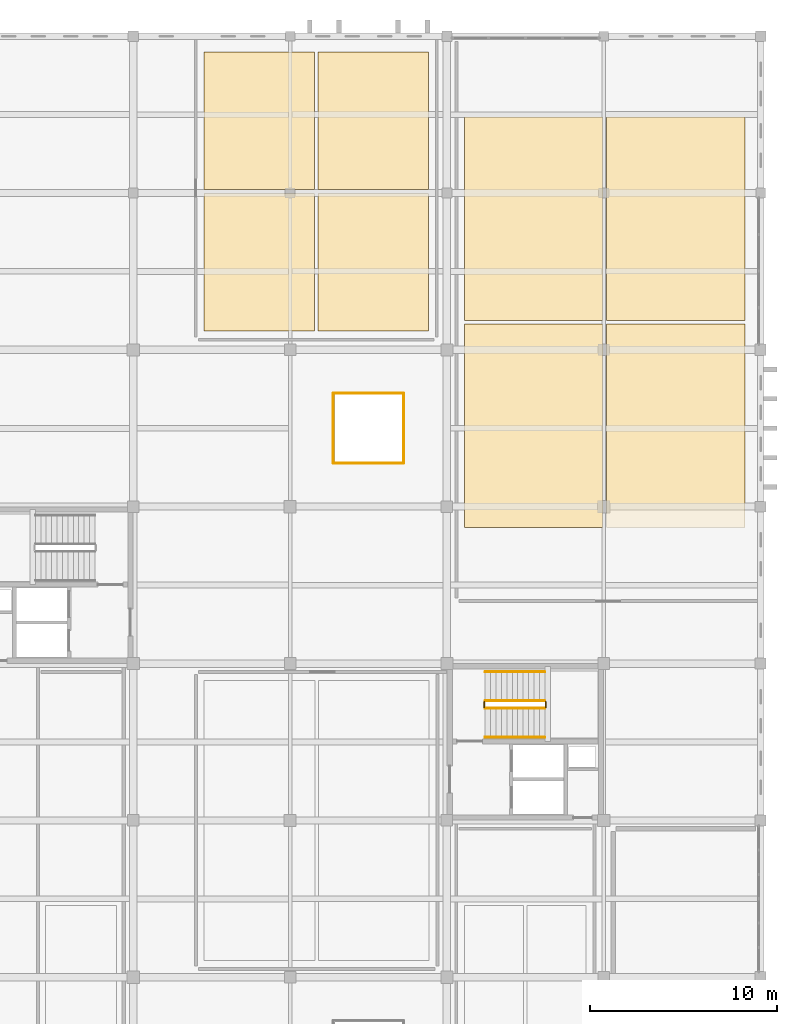
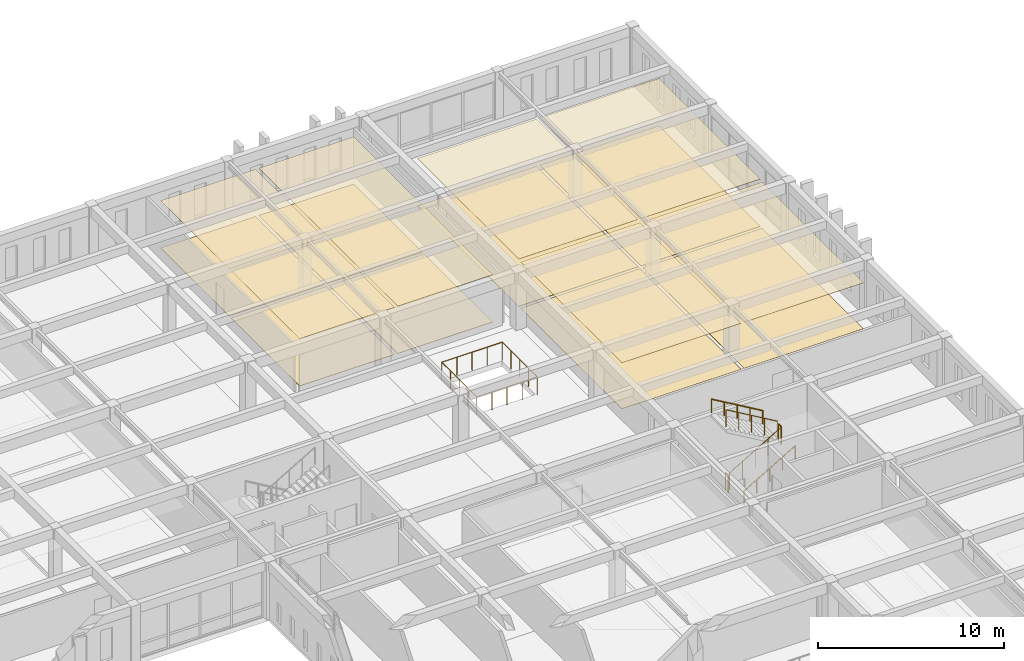
# One storey, part 47 of 47: 16 coverings, 10 railings.
"""IFC4 building model written with IfcOpenShell, lengths in metres."""

from ifc_helpers import new_model, si_unit, direction, frame, origin, origin_2d, place, context, subcontext, project, spatial, rectangle, circle, extrude, material, layer, layer_set, type_object, element, save


model = new_model("IFC4")

# Units and contexts
model_context = context("Model", 3, precision=1e-05, world=origin(), true_north=direction((0.0, 1.0)))
body_context = subcontext(model_context, "Body", "Model", "MODEL_VIEW")
ifc_project = project(units=[si_unit("LENGTHUNIT", "METRE"), si_unit("AREAUNIT", "SQUARE_METRE"), si_unit("VOLUMEUNIT", "CUBIC_METRE"), si_unit("PLANEANGLEUNIT", "RADIAN"), si_unit("MASSUNIT", "GRAM", prefix="KILO")], contexts=[model_context])

# Site, building, storey
site_placement = place(None, origin())
site = spatial("IfcSite", under=ifc_project, at=site_placement, CompositionType="ELEMENT")
building_placement = place(site_placement, origin())
building = spatial("IfcBuilding", under=site, at=building_placement, Name="Kveldsbrygga Polytechnic", CompositionType="ELEMENT")
storey_placement = place(building_placement, frame((0.0, 0.0, 13.93994140625)))
storey = spatial("IfcBuildingStorey", under=building, at=storey_placement, Name="L03", CompositionType="ELEMENT", Elevation=13.93994140625)

# Coverings
ifc_material_1 = material(Name="Acoustic mineral baffle ceiling")
ifc_layer_1 = layer(ifc_material_1, 0.030029296875)
ifc_layer_set_1 = layer_set([ifc_layer_1], Name="Acoustic mineral baffle ceiling")
covering_type_1 = type_object("IfcCoveringType", Name="COV-CEIL-AC30", PredefinedType="CEILING", material=ifc_layer_set_1)
for number, where, z_axis, x_axis, name in (
    (1, (155.85009765625, 96.72509765625, 3.02001953125), (0.0, 0.0, 1.0), (1.0, 0.0, 0.0), "Acoustic Ceiling SP-L03-STD31-WS"),
    (2, (155.85009765625, 107.824951171875, 3.10009765625), (0.0, 0.0, 1.0), (1.0, 0.0, 0.0), "Acoustic Ceiling SP-L03-STD31-WN"),
    (3, (163.449951171875, 96.72509765625, 3.02001953125), (0.0, 0.0, 1.0), (1.0, 0.0, 0.0), "Acoustic Ceiling SP-L03-STD31-ES"),
    (4, (163.449951171875, 107.824951171875, 3.10009765625), (0.0, 0.0, 1.0), (1.0, 0.0, 0.0), "Acoustic Ceiling SP-L03-STD31-EN"),
):
    element("IfcCovering", number, at=place(storey_placement, frame(where, z_axis=z_axis, x_axis=x_axis)), inside=storey, type_object=covering_type_1, Name=name, PredefinedType="CEILING", context=body_context, shape_type="SweptSolid", body=[
        extrude(rectangle(XDim=7.39990234375, YDim=10.89990234375, at=origin_2d()), origin(), (0.0, 0.0, 1.0), 0.030029296875),
    ])
ifc_material_2 = material(Name="Gypsum acoustic ceiling")
ifc_layer_2 = layer(ifc_material_2, 0.02001953125)
ifc_layer_set_2 = layer_set([ifc_layer_2], Name="Gypsum acoustic ceiling")
covering_type_2 = type_object("IfcCoveringType", Name="COV-CEIL-GY20", PredefinedType="CEILING", material=ifc_layer_set_2)
for number, where, z_axis, x_axis, name in (
    (5, (141.14990234375, 105.487548828125, 3.110107421875), (0.0, 0.0, 1.0), (1.0, 0.0, 0.0), "Acoustic Ceiling SP-L03-WC1-WS"),
    (6, (141.14990234375, 113.0625, 3.110107421875), (0.0, 0.0, 1.0), (1.0, 0.0, 0.0), "Acoustic Ceiling SP-L03-WC1-WN"),
    (7, (147.25, 105.487548828125, 3.110107421875), (0.0, 0.0, 1.0), (1.0, 0.0, 0.0), "Acoustic Ceiling SP-L03-WC1-ES"),
    (8, (147.25, 113.0625, 3.110107421875), (0.0, 0.0, 1.0), (1.0, 0.0, 0.0), "Acoustic Ceiling SP-L03-WC1-EN"),
):
    element("IfcCovering", number, at=place(storey_placement, frame(where, z_axis=z_axis, x_axis=x_axis)), inside=storey, type_object=covering_type_2, Name=name, PredefinedType="CEILING", context=body_context, shape_type="SweptSolid", body=[
        extrude(rectangle(XDim=5.89990234375, YDim=7.375, at=origin_2d()), origin(), (0.0, 0.0, 1.0), 0.02001953125),
    ])
ifc_material_3 = material(Name="Iddefjord granite honed paving", Category="masonry")
ifc_layer_3 = layer(ifc_material_3, 0.02490234375)
ifc_layer_set_3 = layer_set([ifc_layer_3], Name="Iddefjord granite honed paving")
covering_type_3 = type_object("IfcCoveringType", Name="COV-FLR-GRN25", PredefinedType="FLOORING", material=ifc_layer_set_3)
for number, where, z_axis, x_axis, name in (
    (9, (141.14990234375, 105.487548828125, 0.0), (0.0, 0.0, 1.0), (1.0, 0.0, 0.0), "Room Flooring SP-L03-WC1-WS"),
    (10, (141.14990234375, 113.0625, 0.0), (0.0, 0.0, 1.0), (1.0, 0.0, 0.0), "Room Flooring SP-L03-WC1-WN"),
    (11, (147.25, 105.487548828125, 0.0), (0.0, 0.0, 1.0), (1.0, 0.0, 0.0), "Room Flooring SP-L03-WC1-ES"),
    (12, (147.25, 113.0625, 0.0), (0.0, 0.0, 1.0), (1.0, 0.0, 0.0), "Room Flooring SP-L03-WC1-EN"),
):
    element("IfcCovering", number, at=place(storey_placement, frame(where, z_axis=z_axis, x_axis=x_axis)), inside=storey, type_object=covering_type_3, Name=name, PredefinedType="FLOORING", context=body_context, shape_type="SweptSolid", body=[
        extrude(rectangle(XDim=5.89990234375, YDim=7.375, at=origin_2d()), origin(), (0.0, 0.0, 1.0), 0.02490234375),
    ])
ifc_material_4 = material(Name="Acoustic oak timber flooring", Category="wood")
ifc_layer_4 = layer(ifc_material_4, 0.02197265625)
ifc_layer_set_4 = layer_set([ifc_layer_4], Name="Acoustic oak timber flooring")
covering_type_4 = type_object("IfcCoveringType", Name="COV-FLR-OAK22", PredefinedType="FLOORING", material=ifc_layer_set_4)
for number, where, z_axis, x_axis, name in (
    (13, (155.85009765625, 96.72509765625, 0.0), (0.0, 0.0, 1.0), (1.0, 0.0, 0.0), "Room Flooring SP-L03-STD31-WS"),
    (14, (155.85009765625, 107.824951171875, 0.0), (0.0, 0.0, 1.0), (1.0, 0.0, 0.0), "Room Flooring SP-L03-STD31-WN"),
    (15, (163.449951171875, 96.72509765625, 0.0), (0.0, 0.0, 1.0), (1.0, 0.0, 0.0), "Room Flooring SP-L03-STD31-ES"),
    (16, (163.449951171875, 107.824951171875, 0.0), (0.0, 0.0, 1.0), (1.0, 0.0, 0.0), "Room Flooring SP-L03-STD31-EN"),
):
    element("IfcCovering", number, at=place(storey_placement, frame(where, z_axis=z_axis, x_axis=x_axis)), inside=storey, type_object=covering_type_4, Name=name, PredefinedType="FLOORING", context=body_context, shape_type="SweptSolid", body=[
        extrude(rectangle(XDim=7.39990234375, YDim=10.89990234375, at=origin_2d()), origin(), (0.0, 0.0, 1.0), 0.02197265625),
    ])

# Railings
ifc_material_5 = material(Name="Steel S355", Category="steel")
railing_type_1 = type_object("IfcRailingType", Name="RL-STAIR-GRD", PredefinedType="GUARDRAIL", material=ifc_material_5)
railing_1_placement = place(storey_placement, frame((153.25, 81.60009765625, 0.170166015625)))
element("IfcRailing", 17, at=railing_1_placement, inside=storey, type_object=railing_type_1, Name="L03 ST-4 stair guard 1", PredefinedType="GUARDRAIL", context=body_context, shape_type="SweptSolid", body=[
    extrude(circle(Radius=0.02392578125, at=origin_2d()), frame((0.0, 0.0, 1.1259765625), z_axis=(0.86270889649, 0.0, 0.505700860111), x_axis=(0.0, 1.0, 0.0)), (0.0, 0.0, 1.0), 3.697509765625),
    extrude(circle(Radius=0.02099609375, at=origin_2d()), origin(), (0.0, 0.0, 1.0), 1.097900390625),
    extrude(circle(Radius=0.02099609375, at=origin_2d()), frame((0.79736328125, 0.0, 0.467529296875)), (0.0, 0.0, 1.0), 1.097900390625),
    extrude(circle(Radius=0.02099609375, at=origin_2d()), frame((1.594970703125, 0.0, 0.93505859375)), (0.0, 0.0, 1.0), 1.097900390625),
    extrude(circle(Radius=0.02099609375, at=origin_2d()), frame((2.392578125, 0.0, 1.40234375)), (0.0, 0.0, 1.0), 1.097900390625),
    extrude(circle(Radius=0.02099609375, at=origin_2d()), frame((3.18994140625, 0.0, 1.869873046875)), (0.0, 0.0, 1.0), 1.097900390625),
])
railing_2_placement = place(storey_placement, frame((156.489990234375, 81.64990234375, 2.0400390625)))
element("IfcRailing", 18, at=railing_2_placement, inside=storey, type_object=railing_type_1, Name="L03 ST-4 stair guard 2", PredefinedType="GUARDRAIL", context=body_context, shape_type="SweptSolid", body=[
    extrude(circle(Radius=0.02392578125, at=origin_2d()), frame((0.0, 0.0, 1.1259765625), z_axis=(0.0, 1.0, 0.0), x_axis=(-1.0, 0.0, 0.0)), (0.0, 0.0, 1.0), 0.300048828125),
    extrude(circle(Radius=0.02099609375, at=origin_2d()), origin(), (0.0, 0.0, 1.0), 1.097900390625),
    extrude(circle(Radius=0.02099609375, at=origin_2d()), frame((0.0, 0.300048828125, 0.0)), (0.0, 0.0, 1.0), 1.097900390625),
])
railing_3_placement = place(storey_placement, frame((156.43994140625, 82.0, 2.2099609375)))
element("IfcRailing", 19, at=railing_3_placement, inside=storey, type_object=railing_type_1, Name="L03 ST-4 stair guard 3", PredefinedType="GUARDRAIL", context=body_context, shape_type="SweptSolid", body=[
    extrude(circle(Radius=0.02392578125, at=origin_2d()), frame((0.0, 0.0, 1.1259765625), z_axis=(-0.862680090275, 0.0, 0.50574999935), x_axis=(0.0, -1.0, 0.0)), (0.0, 0.0, 1.0), 3.69775390625),
    extrude(circle(Radius=0.02099609375, at=origin_2d()), origin(), (0.0, 0.0, 1.0), 1.097900390625),
    extrude(circle(Radius=0.02099609375, at=origin_2d()), frame((-0.79736328125, 0.0, 0.467529296875)), (0.0, 0.0, 1.0), 1.097900390625),
    extrude(circle(Radius=0.02099609375, at=origin_2d()), frame((-1.594970703125, 0.0, 0.93505859375)), (0.0, 0.0, 1.0), 1.097900390625),
    extrude(circle(Radius=0.02099609375, at=origin_2d()), frame((-2.392578125, 0.0, 1.402587890625)), (0.0, 0.0, 1.0), 1.097900390625),
    extrude(circle(Radius=0.02099609375, at=origin_2d()), frame((-3.18994140625, 0.0, 1.8701171875)), (0.0, 0.0, 1.0), 1.097900390625),
])
railing_4_placement = place(storey_placement, frame((153.199951171875, 81.64990234375, 0.0)))
element("IfcRailing", 20, at=railing_4_placement, inside=storey, type_object=railing_type_1, Name="L03 ST-4 stair guard 4", PredefinedType="GUARDRAIL", context=body_context, shape_type="SweptSolid", body=[
    extrude(circle(Radius=0.02392578125, at=origin_2d()), frame((0.0, 0.0, 1.1259765625), z_axis=(0.0, 1.0, 0.0), x_axis=(-1.0, 0.0, 0.0)), (0.0, 0.0, 1.0), 0.300048828125),
    extrude(circle(Radius=0.02099609375, at=origin_2d()), origin(), (0.0, 0.0, 1.0), 1.097900390625),
    extrude(circle(Radius=0.02099609375, at=origin_2d()), frame((0.0, 0.300048828125, 0.0)), (0.0, 0.0, 1.0), 1.097900390625),
])
railing_type_2 = type_object("IfcRailingType", Name="RL-STAIR-HND", PredefinedType="HANDRAIL", material=ifc_material_5)
railing_5_placement = place(storey_placement, frame((153.25, 80.050048828125, 0.170166015625)))
element("IfcRailing", 21, at=railing_5_placement, inside=storey, type_object=railing_type_2, Name="L03 ST-4 stair handrail 1", PredefinedType="HANDRAIL", context=body_context, shape_type="SweptSolid", body=[
    extrude(circle(Radius=0.02392578125, at=origin_2d()), frame((0.0, 0.0, 0.8759765625), z_axis=(0.86270889649, 0.0, 0.505700860111), x_axis=(0.0, 1.0, 0.0)), (0.0, 0.0, 1.0), 3.697509765625),
    extrude(circle(Radius=0.02099609375, at=origin_2d()), origin(), (0.0, 0.0, 1.0), 0.847900390625),
    extrude(circle(Radius=0.02099609375, at=origin_2d()), frame((0.79736328125, 0.0, 0.467529296875)), (0.0, 0.0, 1.0), 0.847900390625),
    extrude(circle(Radius=0.02099609375, at=origin_2d()), frame((1.594970703125, 0.0, 0.93505859375)), (0.0, 0.0, 1.0), 0.847900390625),
    extrude(circle(Radius=0.02099609375, at=origin_2d()), frame((2.392578125, 0.0, 1.40234375)), (0.0, 0.0, 1.0), 0.847900390625),
    extrude(circle(Radius=0.02099609375, at=origin_2d()), frame((3.18994140625, 0.0, 1.869873046875)), (0.0, 0.0, 1.0), 0.847900390625),
])
railing_6_placement = place(storey_placement, frame((156.43994140625, 83.550048828125, 2.2099609375)))
element("IfcRailing", 22, at=railing_6_placement, inside=storey, type_object=railing_type_2, Name="L03 ST-4 stair handrail 2", PredefinedType="HANDRAIL", context=body_context, shape_type="SweptSolid", body=[
    extrude(circle(Radius=0.02392578125, at=origin_2d()), frame((0.0, 0.0, 0.8759765625), z_axis=(-0.862680090275, 0.0, 0.50574999935), x_axis=(0.0, -1.0, 0.0)), (0.0, 0.0, 1.0), 3.69775390625),
    extrude(circle(Radius=0.02099609375, at=origin_2d()), origin(), (0.0, 0.0, 1.0), 0.847900390625),
    extrude(circle(Radius=0.02099609375, at=origin_2d()), frame((-0.79736328125, 0.0, 0.467529296875)), (0.0, 0.0, 1.0), 0.847900390625),
    extrude(circle(Radius=0.02099609375, at=origin_2d()), frame((-1.594970703125, 0.0, 0.93505859375)), (0.0, 0.0, 1.0), 0.847900390625),
    extrude(circle(Radius=0.02099609375, at=origin_2d()), frame((-2.392578125, 0.0, 1.402587890625)), (0.0, 0.0, 1.0), 0.847900390625),
    extrude(circle(Radius=0.02099609375, at=origin_2d()), frame((-3.18994140625, 0.0, 1.8701171875)), (0.0, 0.0, 1.0), 0.847900390625),
])
railing_type_3 = type_object("IfcRailingType", Name="RL-VOID-GRD", PredefinedType="GUARDRAIL", material=ifc_material_5)
railing_7_placement = place(storey_placement, frame((145.1201171875, 94.719970703125, 0.0)))
element("IfcRailing", 23, at=railing_7_placement, inside=storey, type_object=railing_type_3, Name="Atrium Well Guard GRD-L03-WELL-11-S", PredefinedType="GUARDRAIL", context=body_context, shape_type="SweptSolid", body=[
    extrude(circle(Radius=0.02392578125, at=origin_2d()), frame((0.0, 0.0, 1.17578125), z_axis=(1.0, 0.0, 0.0), x_axis=(0.0, 1.0, 0.0)), (0.0, 0.0, 1.0), 3.759765625),
    extrude(circle(Radius=0.02099609375, at=origin_2d()), origin(), (0.0, 0.0, 1.0), 1.14794921875),
    extrude(circle(Radius=0.02099609375, at=origin_2d()), frame((0.93994140625, 0.0, 0.0)), (0.0, 0.0, 1.0), 1.14794921875),
    extrude(circle(Radius=0.02099609375, at=origin_2d()), frame((1.8798828125, 0.0, 0.0)), (0.0, 0.0, 1.0), 1.14794921875),
    extrude(circle(Radius=0.02099609375, at=origin_2d()), frame((2.81982421875, 0.0, 0.0)), (0.0, 0.0, 1.0), 1.14794921875),
    extrude(circle(Radius=0.02099609375, at=origin_2d()), frame((3.759765625, 0.0, 0.0)), (0.0, 0.0, 1.0), 1.14794921875),
])
railing_8_placement = place(storey_placement, frame((148.8798828125, 94.719970703125, 0.0)))
element("IfcRailing", 24, at=railing_8_placement, inside=storey, type_object=railing_type_3, Name="Atrium Well Guard GRD-L03-WELL-11-E", PredefinedType="GUARDRAIL", context=body_context, shape_type="SweptSolid", body=[
    extrude(circle(Radius=0.02392578125, at=origin_2d()), frame((0.0, 0.0, 1.17578125), z_axis=(0.0, 1.0, 0.0), x_axis=(-1.0, 0.0, 0.0)), (0.0, 0.0, 1.0), 3.760009765625),
    extrude(circle(Radius=0.02099609375, at=origin_2d()), origin(), (0.0, 0.0, 1.0), 1.14794921875),
    extrude(circle(Radius=0.02099609375, at=origin_2d()), frame((0.0, 0.93994140625, 0.0)), (0.0, 0.0, 1.0), 1.14794921875),
    extrude(circle(Radius=0.02099609375, at=origin_2d()), frame((0.0, 1.8798828125, 0.0)), (0.0, 0.0, 1.0), 1.14794921875),
    extrude(circle(Radius=0.02099609375, at=origin_2d()), frame((0.0, 2.820068359375, 0.0)), (0.0, 0.0, 1.0), 1.14794921875),
    extrude(circle(Radius=0.02099609375, at=origin_2d()), frame((0.0, 3.760009765625, 0.0)), (0.0, 0.0, 1.0), 1.14794921875),
])
railing_9_placement = place(storey_placement, frame((148.8798828125, 98.47998046875, 0.0)))
element("IfcRailing", 25, at=railing_9_placement, inside=storey, type_object=railing_type_3, Name="Atrium Well Guard GRD-L03-WELL-11-N", PredefinedType="GUARDRAIL", context=body_context, shape_type="SweptSolid", body=[
    extrude(circle(Radius=0.02392578125, at=origin_2d()), frame((0.0, 0.0, 1.17578125), z_axis=(-1.0, 0.0, 0.0), x_axis=(0.0, -1.0, 0.0)), (0.0, 0.0, 1.0), 3.759765625),
    extrude(circle(Radius=0.02099609375, at=origin_2d()), origin(), (0.0, 0.0, 1.0), 1.14794921875),
    extrude(circle(Radius=0.02099609375, at=origin_2d()), frame((-0.93994140625, 0.0, 0.0)), (0.0, 0.0, 1.0), 1.14794921875),
    extrude(circle(Radius=0.02099609375, at=origin_2d()), frame((-1.8798828125, 0.0, 0.0)), (0.0, 0.0, 1.0), 1.14794921875),
    extrude(circle(Radius=0.02099609375, at=origin_2d()), frame((-2.81982421875, 0.0, 0.0)), (0.0, 0.0, 1.0), 1.14794921875),
    extrude(circle(Radius=0.02099609375, at=origin_2d()), frame((-3.759765625, 0.0, 0.0)), (0.0, 0.0, 1.0), 1.14794921875),
])
railing_10_placement = place(storey_placement, frame((145.1201171875, 98.47998046875, 0.0)))
element("IfcRailing", 26, at=railing_10_placement, inside=storey, type_object=railing_type_3, Name="Atrium Well Guard GRD-L03-WELL-11-W", PredefinedType="GUARDRAIL", context=body_context, shape_type="SweptSolid", body=[
    extrude(circle(Radius=0.02392578125, at=origin_2d()), frame((0.0, 0.0, 1.17578125), z_axis=(0.0, -1.0, 0.0), x_axis=(1.0, 0.0, 0.0)), (0.0, 0.0, 1.0), 3.760009765625),
    extrude(circle(Radius=0.02099609375, at=origin_2d()), origin(), (0.0, 0.0, 1.0), 1.14794921875),
    extrude(circle(Radius=0.02099609375, at=origin_2d()), frame((0.0, -0.93994140625, 0.0)), (0.0, 0.0, 1.0), 1.14794921875),
    extrude(circle(Radius=0.02099609375, at=origin_2d()), frame((0.0, -1.8798828125, 0.0)), (0.0, 0.0, 1.0), 1.14794921875),
    extrude(circle(Radius=0.02099609375, at=origin_2d()), frame((0.0, -2.820068359375, 0.0)), (0.0, 0.0, 1.0), 1.14794921875),
    extrude(circle(Radius=0.02099609375, at=origin_2d()), frame((0.0, -3.760009765625, 0.0)), (0.0, 0.0, 1.0), 1.14794921875),
])

save(model, "model.ifc")
